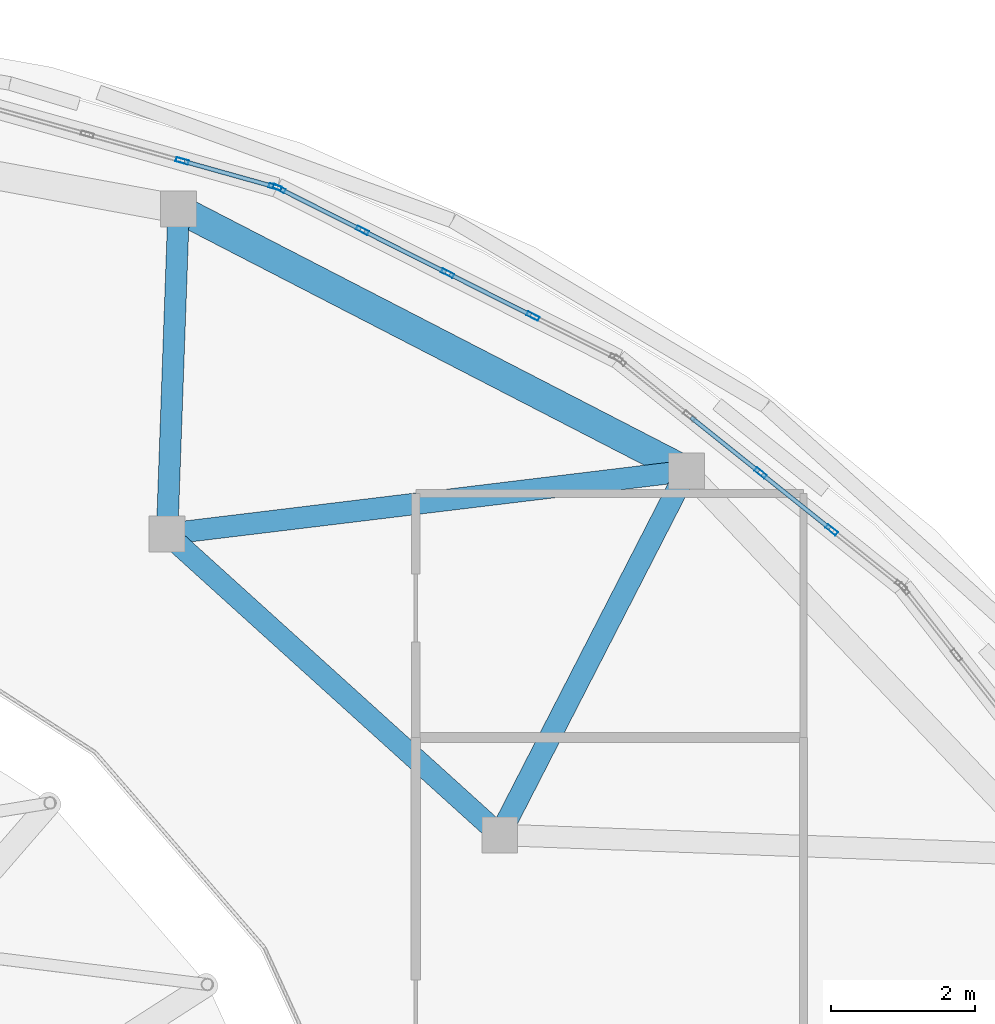
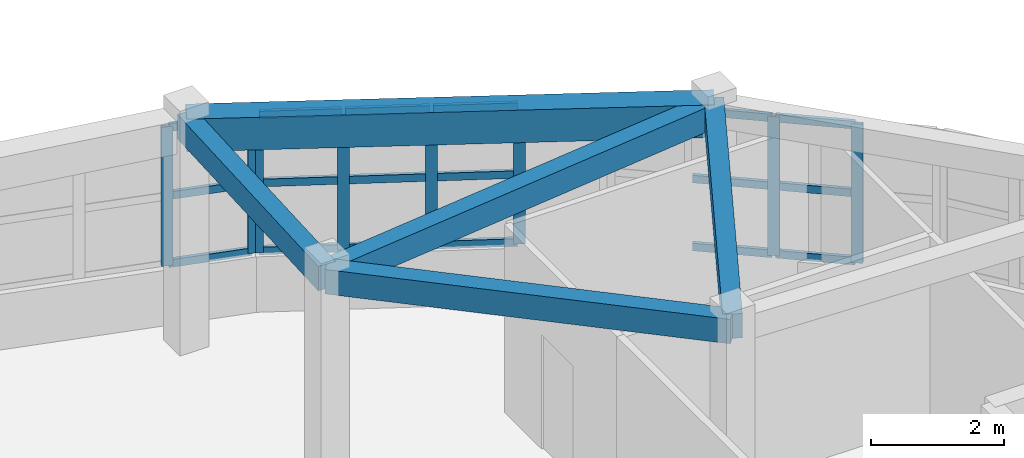
# One storey, part 26 of 38: 26 members, 5 beams, 3 elements without a shape of their own.
"""IFC4 building model written with IfcOpenShell, lengths in metres."""

from ifc_helpers import new_model, si_unit, direction, frame, origin, origin_2d, place, context, subcontext, project, spatial, rectangle, hollow_rectangle, extrude, material, layer, layer_set, material_profile, profile_set, type_object, element, aggregate, save


model = new_model("IFC4")

# Units and contexts
model_context = context("Model", 3, precision=1e-05, world=origin(), true_north=direction((0.0, 1.0)))
body_context = subcontext(model_context, "Body", "Model", "MODEL_VIEW")
ifc_project = project(units=[si_unit("LENGTHUNIT", "METRE"), si_unit("AREAUNIT", "SQUARE_METRE"), si_unit("VOLUMEUNIT", "CUBIC_METRE"), si_unit("PLANEANGLEUNIT", "RADIAN"), si_unit("MASSUNIT", "GRAM", prefix="KILO")], contexts=[model_context])

# Site, building, storey
site_placement = place(None, origin())
site = spatial("IfcSite", under=ifc_project, at=site_placement, CompositionType="ELEMENT")
building_placement = place(site_placement, origin())
building = spatial("IfcBuilding", under=site, at=building_placement, Name="Pelvatis Terrace Science Centre", CompositionType="ELEMENT")
storey_placement = place(building_placement, frame((0.0, 0.0, 24.300048828125)))
storey = spatial("IfcBuildingStorey", under=building, at=storey_placement, Name="L05", CompositionType="ELEMENT", Elevation=24.300048828125)

# Beams
ifc_material_1 = material(Name="Concrete C35/45", Category="concrete")
ifc_material_profile_1 = material_profile(ifc_material_1, rectangle(XDim=0.300048828125, YDim=0.449951171875, at=origin_2d()), Name="RC-BM 300x450")
ifc_profile_set_1 = profile_set([ifc_material_profile_1], Name="Concrete C35/45")
beam_type_1 = type_object("IfcBeamType", Name="BM-RC-300x450", PredefinedType="BEAM", material=ifc_profile_set_1)
beam_1_placement = place(storey_placement, frame((125.772705078125, 99.315185546875, 4.034912109375), z_axis=(-0.456833081813, -0.88955243542, 0.0), x_axis=(0.88955243542, -0.456833081813, 0.0)))
element("IfcBeam", 1, at=beam_1_placement, inside=storey, type_object=beam_type_1, Name="Beam BM-L05-3121", PredefinedType="BEAM", context=body_context, shape_type="SweptSolid", body=[
    extrude(rectangle(XDim=0.300048828125, YDim=0.449951171875, at=origin_2d()), origin(), (0.0, 0.0, 1.0), 5.7001953125),
])
beam_2_placement = place(storey_placement, frame((125.772705078125, 99.315185546875, 4.034912109375), z_axis=(-0.992742021156, -0.120263375265, 0.0), x_axis=(0.120263375265, -0.992742021156, 0.0)))
element("IfcBeam", 2, at=beam_2_placement, inside=storey, type_object=beam_type_1, Name="Beam BM-L05-3122", PredefinedType="BEAM", context=body_context, shape_type="SweptSolid", body=[
    extrude(rectangle(XDim=0.300048828125, YDim=0.449951171875, at=origin_2d()), origin(), (0.0, 0.0, 1.0), 7.2919921875),
])
beam_3_placement = place(storey_placement, frame((118.69482421875, 102.9658203125, 4.034912109375), z_axis=(-0.035566590656, -0.999367308665, 0.0), x_axis=(0.999367308665, -0.035566590656, 0.0)))
element("IfcBeam", 3, at=beam_3_placement, inside=storey, type_object=beam_type_1, Name="Beam BM-L05-3124", PredefinedType="BEAM", context=body_context, shape_type="SweptSolid", body=[
    extrude(rectangle(XDim=0.300048828125, YDim=0.449951171875, at=origin_2d()), origin(), (0.0, 0.0, 1.0), 4.530517578125),
])
beam_4_placement = place(storey_placement, frame((123.168701171875, 94.24462890625, 4.034912109375), z_axis=(-0.741533928448, 0.670915369447, 0.0), x_axis=(-0.670915369447, -0.741533928448, 0.0)))
element("IfcBeam", 4, at=beam_4_placement, inside=storey, type_object=beam_type_1, Name="Beam BM-L05-3146", PredefinedType="BEAM", context=body_context, shape_type="SweptSolid", body=[
    extrude(rectangle(XDim=0.300048828125, YDim=0.449951171875, at=origin_2d()), origin(), (0.0, 0.0, 1.0), 6.25048828125),
])
ifc_material_2 = material(Name="Concrete C35/45", Category="concrete")
ifc_material_profile_2 = material_profile(ifc_material_2, rectangle(XDim=0.39990234375, YDim=0.60009765625, at=origin_2d()), Name="RC-BM 400x600")
ifc_profile_set_2 = profile_set([ifc_material_profile_2], Name="Concrete C35/45")
beam_type_2 = type_object("IfcBeamType", Name="BM-RC-400x600", PredefinedType="BEAM", material=ifc_profile_set_2)
beam_5_placement = place(storey_placement, frame((125.772705078125, 99.315185546875, 3.9599609375), z_axis=(-0.888746773827, 0.458398486049, 0.0), x_axis=(-0.458398486049, -0.888746773827, 0.0)))
element("IfcBeam", 5, at=beam_5_placement, inside=storey, type_object=beam_type_2, Name="Beam BM-L05-3120", PredefinedType="BEAM", context=body_context, shape_type="SweptSolid", body=[
    extrude(rectangle(XDim=0.39990234375, YDim=0.60009765625, at=origin_2d()), origin(), (0.0, 0.0, 1.0), 7.9638671875),
])

# Curtain wall, members
ifc_material_3 = material(Name="Bronze-anodised aluminium and laminated glass", Category="aluminium")
ifc_layer = layer(ifc_material_3, 0.179931640625)
ifc_layer_set = layer_set([ifc_layer], Name="Bronze-anodised aluminium and laminated glass")
curtain_wall_type = type_object("IfcCurtainWallType", Name="CW-RIBBON-A", PredefinedType="NOTDEFINED", material=ifc_layer_set)
curtain_wall_1_placement = place(storey_placement, origin())
curtain_wall_1 = element("IfcCurtainWall", 6, at=curtain_wall_1_placement, inside=storey, type_object=curtain_wall_type, Name="Ribbon curtain wall CW-240 (L05)", PredefinedType="NOTDEFINED")
ifc_material_4 = material(Name="Bronze-anodised aluminium 6063-T6", Category="aluminium")
ifc_material_profile_3 = material_profile(ifc_material_4, hollow_rectangle(XDim=0.06005859375, YDim=0.179931640625, WallThickness=0.00390625, at=origin_2d()), Name="ALU-MUL 60x180")
ifc_profile_set_3 = profile_set([ifc_material_profile_3], Name="Bronze-anodised aluminium 6063-T6")
member_type_1 = type_object("IfcMemberType", Name="CWM-60x180", PredefinedType="MULLION", material=ifc_profile_set_3)
member_1_placement = place(storey_placement, frame((127.793212890625, 98.49462890625, 1.02001953125), z_axis=(0.0, 0.0, 1.0), x_axis=(-0.62487505806, -0.780724767005, 0.0)))
member_1 = element("IfcMember", 7, at=member_1_placement, type_object=member_type_1, Name="CW-240 mullion 2", PredefinedType="MULLION", context=body_context, shape_type="SweptSolid", body=[
    extrude(hollow_rectangle(XDim=0.06005859375, YDim=0.179931640625, WallThickness=0.00390625, at=origin_2d()), origin(), (0.0, 0.0, 1.0), 2.559814453125),
])
member_2_placement = place(storey_placement, frame((126.8017578125, 99.288330078125, 1.02001953125), z_axis=(0.0, 0.0, 1.0), x_axis=(-0.62487505806, -0.780724767005, 0.0)))
member_2 = element("IfcMember", 8, at=member_2_placement, type_object=member_type_1, Name="CW-240 mullion 3", PredefinedType="MULLION", context=body_context, shape_type="SweptSolid", body=[
    extrude(hollow_rectangle(XDim=0.06005859375, YDim=0.179931640625, WallThickness=0.00390625, at=origin_2d()), origin(), (0.0, 0.0, 1.0), 2.559814453125),
])

curtain_wall_2_placement = place(storey_placement, origin())
curtain_wall_2 = element("IfcCurtainWall", 9, at=curtain_wall_2_placement, inside=storey, type_object=curtain_wall_type, Name="Ribbon curtain wall CW-241 (L05)", PredefinedType="NOTDEFINED")
member_3_placement = place(storey_placement, frame((123.631103515625, 101.472900390625, 1.02001953125), z_axis=(0.0, 0.0, 1.0), x_axis=(-0.449303995918, -0.893378933741, 0.0)))
member_3 = element("IfcMember", 10, at=member_3_placement, type_object=member_type_1, Name="CW-241 mullion 2", PredefinedType="MULLION", context=body_context, shape_type="SweptSolid", body=[
    extrude(hollow_rectangle(XDim=0.06005859375, YDim=0.179931640625, WallThickness=0.00390625, at=origin_2d()), origin(), (0.0, 0.0, 1.0), 2.559814453125),
])
member_4_placement = place(storey_placement, frame((122.443603515625, 102.070068359375, 1.02001953125), z_axis=(0.0, 0.0, 1.0), x_axis=(-0.449303995918, -0.893378933741, 0.0)))
member_4 = element("IfcMember", 11, at=member_4_placement, type_object=member_type_1, Name="CW-241 mullion 3", PredefinedType="MULLION", context=body_context, shape_type="SweptSolid", body=[
    extrude(hollow_rectangle(XDim=0.06005859375, YDim=0.179931640625, WallThickness=0.00390625, at=origin_2d()), origin(), (0.0, 0.0, 1.0), 2.559814453125),
])
member_5_placement = place(storey_placement, frame((121.256103515625, 102.667236328125, 1.02001953125), z_axis=(0.0, 0.0, 1.0), x_axis=(-0.449303995918, -0.893378933741, 0.0)))
member_5 = element("IfcMember", 12, at=member_5_placement, type_object=member_type_1, Name="CW-241 mullion 4", PredefinedType="MULLION", context=body_context, shape_type="SweptSolid", body=[
    extrude(hollow_rectangle(XDim=0.06005859375, YDim=0.179931640625, WallThickness=0.00390625, at=origin_2d()), origin(), (0.0, 0.0, 1.0), 2.559814453125),
])
member_6_placement = place(storey_placement, frame((120.095703125, 103.2509765625, 1.02001953125), z_axis=(0.0, 0.0, 1.0), x_axis=(-0.449303995918, -0.893378933741, 0.0)))
member_6 = element("IfcMember", 13, at=member_6_placement, type_object=member_type_1, Name="CW-241 mullion 5", PredefinedType="MULLION", context=body_context, shape_type="SweptSolid", body=[
    extrude(hollow_rectangle(XDim=0.06005859375, YDim=0.179931640625, WallThickness=0.00390625, at=origin_2d()), origin(), (0.0, 0.0, 1.0), 2.559814453125),
])

curtain_wall_3_placement = place(storey_placement, origin())
curtain_wall_3 = element("IfcCurtainWall", 14, at=curtain_wall_3_placement, inside=storey, type_object=curtain_wall_type, Name="Ribbon curtain wall CW-242 (L05)", PredefinedType="NOTDEFINED")
member_7_placement = place(storey_placement, frame((120.039794921875, 103.2724609375, 1.02001953125), z_axis=(0.0, 0.0, 1.0), x_axis=(-0.269694685663, -0.962945884526, 0.0)))
member_7 = element("IfcMember", 15, at=member_7_placement, type_object=member_type_1, Name="CW-242 mullion 1", PredefinedType="MULLION", context=body_context, shape_type="SweptSolid", body=[
    extrude(hollow_rectangle(XDim=0.06005859375, YDim=0.179931640625, WallThickness=0.00390625, at=origin_2d()), origin(), (0.0, 0.0, 1.0), 2.559814453125),
])
member_8_placement = place(storey_placement, frame((118.7451171875, 103.635009765625, 1.02001953125), z_axis=(0.0, 0.0, 1.0), x_axis=(-0.269694685663, -0.962945884526, 0.0)))
member_8 = element("IfcMember", 16, at=member_8_placement, type_object=member_type_1, Name="CW-242 mullion 2", PredefinedType="MULLION", context=body_context, shape_type="SweptSolid", body=[
    extrude(hollow_rectangle(XDim=0.06005859375, YDim=0.179931640625, WallThickness=0.00390625, at=origin_2d()), origin(), (0.0, 0.0, 1.0), 2.559814453125),
])

# Member
ifc_material_5 = material(Name="Bronze-anodised aluminium 6063-T6", Category="aluminium")
ifc_material_profile_4 = material_profile(ifc_material_5, hollow_rectangle(XDim=0.06005859375, YDim=0.139892578125, WallThickness=0.00390625, at=origin_2d()), Name="ALU-TRN 60x140")
ifc_profile_set_4 = profile_set([ifc_material_profile_4], Name="Bronze-anodised aluminium 6063-T6")
member_type_2 = type_object("IfcMemberType", Name="CWT-60x140", PredefinedType="USERDEFINED", material=ifc_profile_set_4)
member_9_placement = place(storey_placement, frame((127.769775390625, 98.513427734375, 1.050048828125), z_axis=(-0.780770385385, 0.624818057762, 0.0), x_axis=(-0.624818057762, -0.780770385385, 0.0)))
member_9 = element("IfcMember", 17, at=member_9_placement, type_object=member_type_2, Name="CW-240 transom 2.1", ObjectType="TRANSOM", PredefinedType="USERDEFINED", context=body_context, shape_type="SweptSolid", body=[
    extrude(hollow_rectangle(XDim=0.06005859375, YDim=0.139892578125, WallThickness=0.00390625, at=origin_2d()), origin(), (0.0, 0.0, 1.0), 1.210205078125),
])

member_10_placement = place(storey_placement, frame((127.769775390625, 98.513427734375, 2.300048828125), z_axis=(-0.780770385385, 0.624818057762, 0.0), x_axis=(-0.624818057762, -0.780770385385, 0.0)))
member_10 = element("IfcMember", 18, at=member_10_placement, type_object=member_type_2, Name="CW-240 transom 2.2", ObjectType="TRANSOM", PredefinedType="USERDEFINED", context=body_context, shape_type="SweptSolid", body=[
    extrude(hollow_rectangle(XDim=0.06005859375, YDim=0.139892578125, WallThickness=0.00390625, at=origin_2d()), origin(), (0.0, 0.0, 1.0), 1.210205078125),
])

member_11_placement = place(storey_placement, frame((127.769775390625, 98.513427734375, 3.550048828125), z_axis=(-0.780770385385, 0.624818057762, 0.0), x_axis=(-0.624818057762, -0.780770385385, 0.0)))
member_11 = element("IfcMember", 19, at=member_11_placement, type_object=member_type_2, Name="CW-240 transom 2.3", ObjectType="TRANSOM", PredefinedType="USERDEFINED", context=body_context, shape_type="SweptSolid", body=[
    extrude(hollow_rectangle(XDim=0.06005859375, YDim=0.139892578125, WallThickness=0.00390625, at=origin_2d()), origin(), (0.0, 0.0, 1.0), 1.210205078125),
])

member_12_placement = place(storey_placement, frame((126.7783203125, 99.30712890625, 1.050048828125), z_axis=(-0.780770385385, 0.624818057762, 0.0), x_axis=(-0.624818057762, -0.780770385385, 0.0)))
member_12 = element("IfcMember", 20, at=member_12_placement, type_object=member_type_2, Name="CW-240 transom 3.1", ObjectType="TRANSOM", PredefinedType="USERDEFINED", context=body_context, shape_type="SweptSolid", body=[
    extrude(hollow_rectangle(XDim=0.06005859375, YDim=0.139892578125, WallThickness=0.00390625, at=origin_2d()), origin(), (0.0, 0.0, 1.0), 1.210205078125),
])

member_13_placement = place(storey_placement, frame((126.7783203125, 99.30712890625, 2.300048828125), z_axis=(-0.780770385385, 0.624818057762, 0.0), x_axis=(-0.624818057762, -0.780770385385, 0.0)))
member_13 = element("IfcMember", 21, at=member_13_placement, type_object=member_type_2, Name="CW-240 transom 3.2", ObjectType="TRANSOM", PredefinedType="USERDEFINED", context=body_context, shape_type="SweptSolid", body=[
    extrude(hollow_rectangle(XDim=0.06005859375, YDim=0.139892578125, WallThickness=0.00390625, at=origin_2d()), origin(), (0.0, 0.0, 1.0), 1.210205078125),
])

member_14_placement = place(storey_placement, frame((126.7783203125, 99.30712890625, 3.550048828125), z_axis=(-0.780770385385, 0.624818057762, 0.0), x_axis=(-0.624818057762, -0.780770385385, 0.0)))
member_14 = element("IfcMember", 22, at=member_14_placement, type_object=member_type_2, Name="CW-240 transom 3.3", ObjectType="TRANSOM", PredefinedType="USERDEFINED", context=body_context, shape_type="SweptSolid", body=[
    extrude(hollow_rectangle(XDim=0.06005859375, YDim=0.139892578125, WallThickness=0.00390625, at=origin_2d()), origin(), (0.0, 0.0, 1.0), 1.210205078125),
])

aggregate(curtain_wall_1, [member_1, member_2, member_9, member_10, member_11, member_12, member_13, member_14])

member_15_placement = place(storey_placement, frame((123.604248046875, 101.486328125, 1.050048828125), z_axis=(-0.893347346946, 0.449366796397, 0.0), x_axis=(-0.449366796397, -0.893347346946, 0.0)))
member_15 = element("IfcMember", 23, at=member_15_placement, type_object=member_type_2, Name="CW-241 transom 2.1", ObjectType="TRANSOM", PredefinedType="USERDEFINED", context=body_context, shape_type="SweptSolid", body=[
    extrude(hollow_rectangle(XDim=0.06005859375, YDim=0.139892578125, WallThickness=0.00390625, at=origin_2d()), origin(), (0.0, 0.0, 1.0), 1.26904296875),
])

member_16_placement = place(storey_placement, frame((123.604248046875, 101.486328125, 2.300048828125), z_axis=(-0.893347346946, 0.449366796397, 0.0), x_axis=(-0.449366796397, -0.893347346946, 0.0)))
member_16 = element("IfcMember", 24, at=member_16_placement, type_object=member_type_2, Name="CW-241 transom 2.2", ObjectType="TRANSOM", PredefinedType="USERDEFINED", context=body_context, shape_type="SweptSolid", body=[
    extrude(hollow_rectangle(XDim=0.06005859375, YDim=0.139892578125, WallThickness=0.00390625, at=origin_2d()), origin(), (0.0, 0.0, 1.0), 1.26904296875),
])

member_17_placement = place(storey_placement, frame((123.604248046875, 101.486328125, 3.550048828125), z_axis=(-0.893347346946, 0.449366796397, 0.0), x_axis=(-0.449366796397, -0.893347346946, 0.0)))
member_17 = element("IfcMember", 25, at=member_17_placement, type_object=member_type_2, Name="CW-241 transom 2.3", ObjectType="TRANSOM", PredefinedType="USERDEFINED", context=body_context, shape_type="SweptSolid", body=[
    extrude(hollow_rectangle(XDim=0.06005859375, YDim=0.139892578125, WallThickness=0.00390625, at=origin_2d()), origin(), (0.0, 0.0, 1.0), 1.26904296875),
])

member_18_placement = place(storey_placement, frame((122.416748046875, 102.08349609375, 1.050048828125), z_axis=(-0.893347346946, 0.449366796397, 0.0), x_axis=(-0.449366796397, -0.893347346946, 0.0)))
member_18 = element("IfcMember", 26, at=member_18_placement, type_object=member_type_2, Name="CW-241 transom 3.1", ObjectType="TRANSOM", PredefinedType="USERDEFINED", context=body_context, shape_type="SweptSolid", body=[
    extrude(hollow_rectangle(XDim=0.06005859375, YDim=0.139892578125, WallThickness=0.00390625, at=origin_2d()), origin(), (0.0, 0.0, 1.0), 1.26904296875),
])

member_19_placement = place(storey_placement, frame((122.416748046875, 102.08349609375, 2.300048828125), z_axis=(-0.893347346946, 0.449366796397, 0.0), x_axis=(-0.449366796397, -0.893347346946, 0.0)))
member_19 = element("IfcMember", 27, at=member_19_placement, type_object=member_type_2, Name="CW-241 transom 3.2", ObjectType="TRANSOM", PredefinedType="USERDEFINED", context=body_context, shape_type="SweptSolid", body=[
    extrude(hollow_rectangle(XDim=0.06005859375, YDim=0.139892578125, WallThickness=0.00390625, at=origin_2d()), origin(), (0.0, 0.0, 1.0), 1.26904296875),
])

member_20_placement = place(storey_placement, frame((122.416748046875, 102.08349609375, 3.550048828125), z_axis=(-0.893347346946, 0.449366796397, 0.0), x_axis=(-0.449366796397, -0.893347346946, 0.0)))
member_20 = element("IfcMember", 28, at=member_20_placement, type_object=member_type_2, Name="CW-241 transom 3.3", ObjectType="TRANSOM", PredefinedType="USERDEFINED", context=body_context, shape_type="SweptSolid", body=[
    extrude(hollow_rectangle(XDim=0.06005859375, YDim=0.139892578125, WallThickness=0.00390625, at=origin_2d()), origin(), (0.0, 0.0, 1.0), 1.26904296875),
])

member_21_placement = place(storey_placement, frame((121.2294921875, 102.6806640625, 1.050048828125), z_axis=(-0.8933609013, 0.449339849143, 0.0), x_axis=(-0.449339849143, -0.8933609013, 0.0)))
member_21 = element("IfcMember", 29, at=member_21_placement, type_object=member_type_2, Name="CW-241 transom 4.1", ObjectType="TRANSOM", PredefinedType="USERDEFINED", context=body_context, shape_type="SweptSolid", body=[
    extrude(hollow_rectangle(XDim=0.06005859375, YDim=0.139892578125, WallThickness=0.00390625, at=origin_2d()), origin(), (0.0, 0.0, 1.0), 1.2392578125),
])

member_22_placement = place(storey_placement, frame((121.2294921875, 102.6806640625, 2.300048828125), z_axis=(-0.8933609013, 0.449339849143, 0.0), x_axis=(-0.449339849143, -0.8933609013, 0.0)))
member_22 = element("IfcMember", 30, at=member_22_placement, type_object=member_type_2, Name="CW-241 transom 4.2", ObjectType="TRANSOM", PredefinedType="USERDEFINED", context=body_context, shape_type="SweptSolid", body=[
    extrude(hollow_rectangle(XDim=0.06005859375, YDim=0.139892578125, WallThickness=0.00390625, at=origin_2d()), origin(), (0.0, 0.0, 1.0), 1.2392578125),
])

member_23_placement = place(storey_placement, frame((121.2294921875, 102.6806640625, 3.550048828125), z_axis=(-0.8933609013, 0.449339849143, 0.0), x_axis=(-0.449339849143, -0.8933609013, 0.0)))
member_23 = element("IfcMember", 31, at=member_23_placement, type_object=member_type_2, Name="CW-241 transom 4.3", ObjectType="TRANSOM", PredefinedType="USERDEFINED", context=body_context, shape_type="SweptSolid", body=[
    extrude(hollow_rectangle(XDim=0.06005859375, YDim=0.139892578125, WallThickness=0.00390625, at=origin_2d()), origin(), (0.0, 0.0, 1.0), 1.2392578125),
])

aggregate(curtain_wall_2, [member_3, member_4, member_5, member_6, member_15, member_16, member_17, member_18, member_19, member_20, member_21, member_22, member_23])

member_24_placement = place(storey_placement, frame((120.010986328125, 103.280517578125, 1.050048828125), z_axis=(-0.96295217629, 0.269672219885, 0.0), x_axis=(-0.269672219885, -0.96295217629, 0.0)))
member_24 = element("IfcMember", 32, at=member_24_placement, type_object=member_type_2, Name="CW-242 transom 1.1", ObjectType="TRANSOM", PredefinedType="USERDEFINED", context=body_context, shape_type="SweptSolid", body=[
    extrude(hollow_rectangle(XDim=0.06005859375, YDim=0.139892578125, WallThickness=0.00390625, at=origin_2d()), origin(), (0.0, 0.0, 1.0), 1.28466796875),
])

member_25_placement = place(storey_placement, frame((120.010986328125, 103.280517578125, 2.300048828125), z_axis=(-0.96295217629, 0.269672219885, 0.0), x_axis=(-0.269672219885, -0.96295217629, 0.0)))
member_25 = element("IfcMember", 33, at=member_25_placement, type_object=member_type_2, Name="CW-242 transom 1.2", ObjectType="TRANSOM", PredefinedType="USERDEFINED", context=body_context, shape_type="SweptSolid", body=[
    extrude(hollow_rectangle(XDim=0.06005859375, YDim=0.139892578125, WallThickness=0.00390625, at=origin_2d()), origin(), (0.0, 0.0, 1.0), 1.28466796875),
])

member_26_placement = place(storey_placement, frame((120.010986328125, 103.280517578125, 3.550048828125), z_axis=(-0.96295217629, 0.269672219885, 0.0), x_axis=(-0.269672219885, -0.96295217629, 0.0)))
member_26 = element("IfcMember", 34, at=member_26_placement, type_object=member_type_2, Name="CW-242 transom 1.3", ObjectType="TRANSOM", PredefinedType="USERDEFINED", context=body_context, shape_type="SweptSolid", body=[
    extrude(hollow_rectangle(XDim=0.06005859375, YDim=0.139892578125, WallThickness=0.00390625, at=origin_2d()), origin(), (0.0, 0.0, 1.0), 1.28466796875),
])

aggregate(curtain_wall_3, [member_7, member_8, member_24, member_25, member_26])

save(model, "model.ifc")
